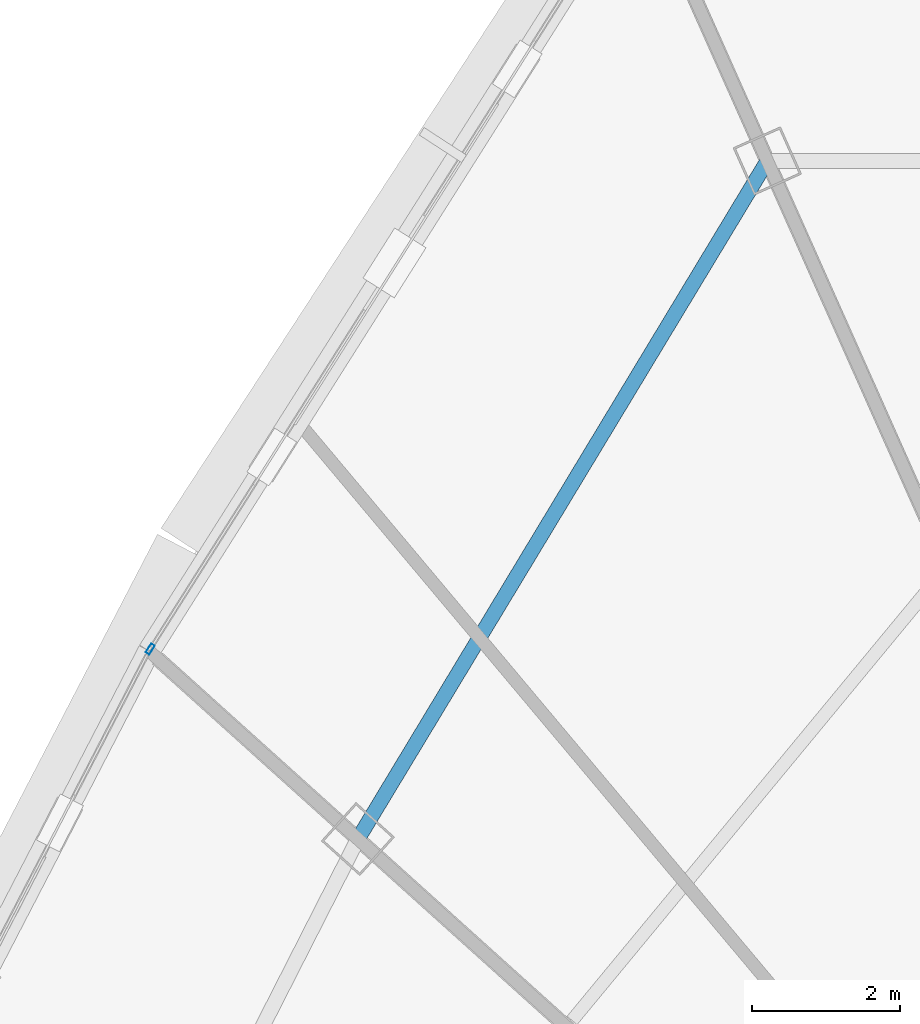
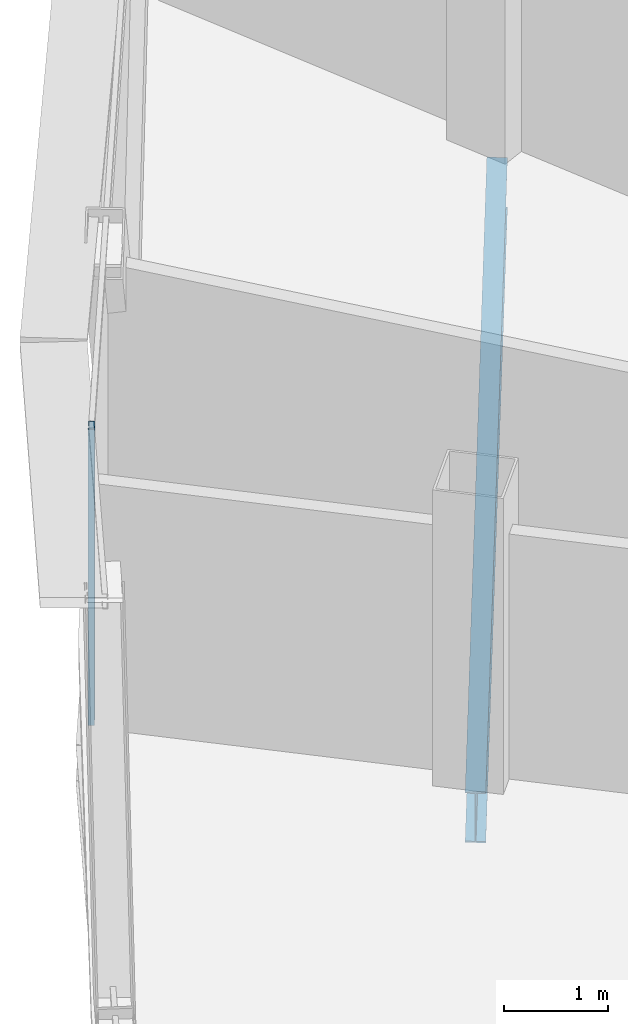
# One storey, part 10 of 33: 1 beam, 1 member, 1 element without a shape of its own.
"""IFC4 building model written with IfcOpenShell, lengths in metres."""

from ifc_helpers import new_model, si_unit, direction, frame, origin, origin_2d, place, context, subcontext, project, spatial, hollow_rectangle, i_section, extrude, source, transform, mapped, material, layer, layer_set, material_profile, profile_set, type_object, element, aggregate, save


model = new_model("IFC4")

# Units and contexts
model_context = context("Model", 3, precision=1e-05, world=origin(), true_north=direction((0.0, 1.0)))
body_context = subcontext(model_context, "Body", "Model", "MODEL_VIEW")
ifc_project = project(units=[si_unit("LENGTHUNIT", "METRE"), si_unit("AREAUNIT", "SQUARE_METRE"), si_unit("VOLUMEUNIT", "CUBIC_METRE"), si_unit("PLANEANGLEUNIT", "RADIAN"), si_unit("MASSUNIT", "GRAM", prefix="KILO"), si_unit("THERMODYNAMICTEMPERATUREUNIT", "KELVIN"), si_unit("POWERUNIT", "WATT")], contexts=[model_context])

# Site, building, storey
site_placement = place(None, origin())
site = spatial("IfcSite", under=ifc_project, at=site_placement, CompositionType="ELEMENT")
building_placement = place(site_placement, origin())
building = spatial("IfcBuilding", under=site, at=building_placement, Name="Yunzhuo Pagoda Commons", CompositionType="ELEMENT")
storey_placement = place(building_placement, frame((0.0, 0.0, 329.260009765625)))
storey = spatial("IfcBuildingStorey", under=building, at=storey_placement, Name="L82", CompositionType="ELEMENT", Elevation=329.260009765625)

# Beam
ifc_material_1 = material(Name="Structural steel Q355B", Category="steel")
ifc_material_profile_1 = material_profile(ifc_material_1, i_section(OverallWidth=0.199951171875, OverallDepth=0.60009765625, WebThickness=0.010986328125, FlangeThickness=0.01708984375, at=origin_2d()), Name="Structural steel Q355B")
ifc_profile_set_1 = profile_set([ifc_material_profile_1], Name="Structural steel Q355B")
beam_type = type_object("IfcBeamType", Name="B-RG3 Beam HN 600x200x11x17", PredefinedType="BEAM", material=ifc_profile_set_1)
shared_shape_1 = source(origin(), body_context, "Body", "SweptSolid", [
    extrude(i_section(OverallWidth=0.199951171875, OverallDepth=0.60009765625, WebThickness=0.010986328125, FlangeThickness=0.01708984375, at=origin_2d()), origin(), (0.0, 0.0, 1.0), 10.691162109375),
])
beam_placement = place(storey_placement, frame((37.501220703125, 57.281005859375, -0.56005859375), z_axis=(-0.516864678433, -0.856067114301, 0.0), x_axis=(0.856067114301, -0.516864678433, 0.0)))
element("IfcBeam", 1, at=beam_placement, inside=storey, type_object=beam_type, Name="L82 column-ring beam 9", PredefinedType="BEAM", context=body_context, shape_type="MappedRepresentation", body=[
    mapped(shared_shape_1, transform((0.0, 0.0, 0.0), scale=1.0)),
])

# Curtain wall, member
ifc_material_2 = material(Name="Anodized aluminium 6063-T6", Category="aluminium")
ifc_layer = layer(ifc_material_2, 0.139892578125)
ifc_layer_set = layer_set([ifc_layer], Name="Anodized aluminium 6063-T6")
curtain_wall_type = type_object("IfcCurtainWallType", Name="CW-HI High-Zone Ribbon Curtain Wall", PredefinedType="NOTDEFINED", material=ifc_layer_set)
curtain_wall_placement = place(storey_placement, origin())
curtain_wall = element("IfcCurtainWall", 2, at=curtain_wall_placement, inside=storey, type_object=curtain_wall_type, Name="L82 curtain wall CW-L82-F3B2", PredefinedType="NOTDEFINED")
ifc_material_profile_2 = material_profile(ifc_material_2, hollow_rectangle(XDim=0.06005859375, YDim=0.139892578125, WallThickness=0.00341796875, at=origin_2d()), Name="Anodized aluminium 6063-T6")
ifc_profile_set_2 = profile_set([ifc_material_profile_2], Name="Anodized aluminium 6063-T6")
member_type = type_object("IfcMemberType", Name="CW-HI-M Mullion RHS 140x60x3.5", PredefinedType="MULLION", material=ifc_profile_set_2)
shared_shape_2 = source(origin(), body_context, "Body", "SweptSolid", [
    extrude(hollow_rectangle(XDim=0.06005859375, YDim=0.139892578125, WallThickness=0.00341796875, at=origin_2d()), origin(), (0.0, 0.0, 1.0), 3.489990234375),
])
member_placement = place(storey_placement, frame((29.17236328125, 50.6923828125, 0.0), z_axis=(0.0, 0.0, 1.0), x_axis=(0.845148830397, -0.534531060349, 0.0)))
member = element("IfcMember", 3, at=member_placement, type_object=member_type, Name="CW mullion 2", PredefinedType="MULLION", context=body_context, shape_type="MappedRepresentation", body=[
    mapped(shared_shape_2, transform((0.0, 0.0, 0.0), scale=1.0)),
])
aggregate(curtain_wall, [member])

save(model, "model.ifc")
